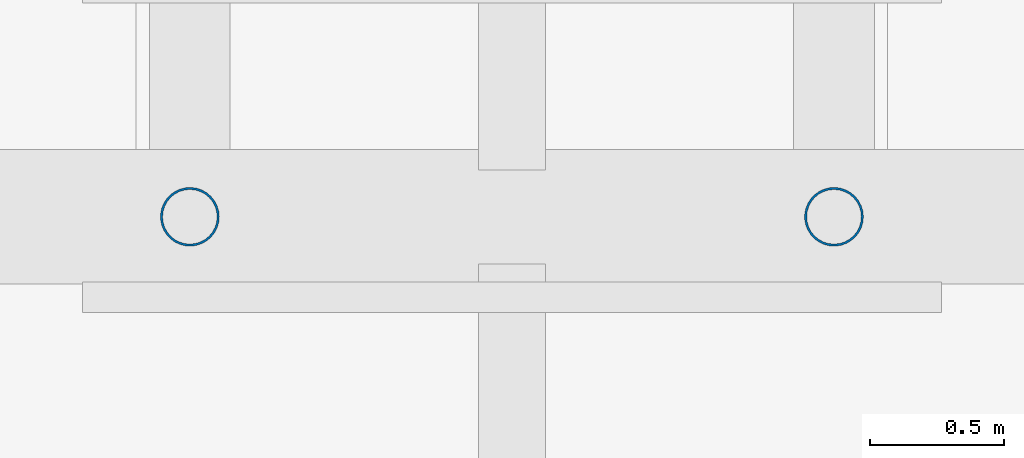
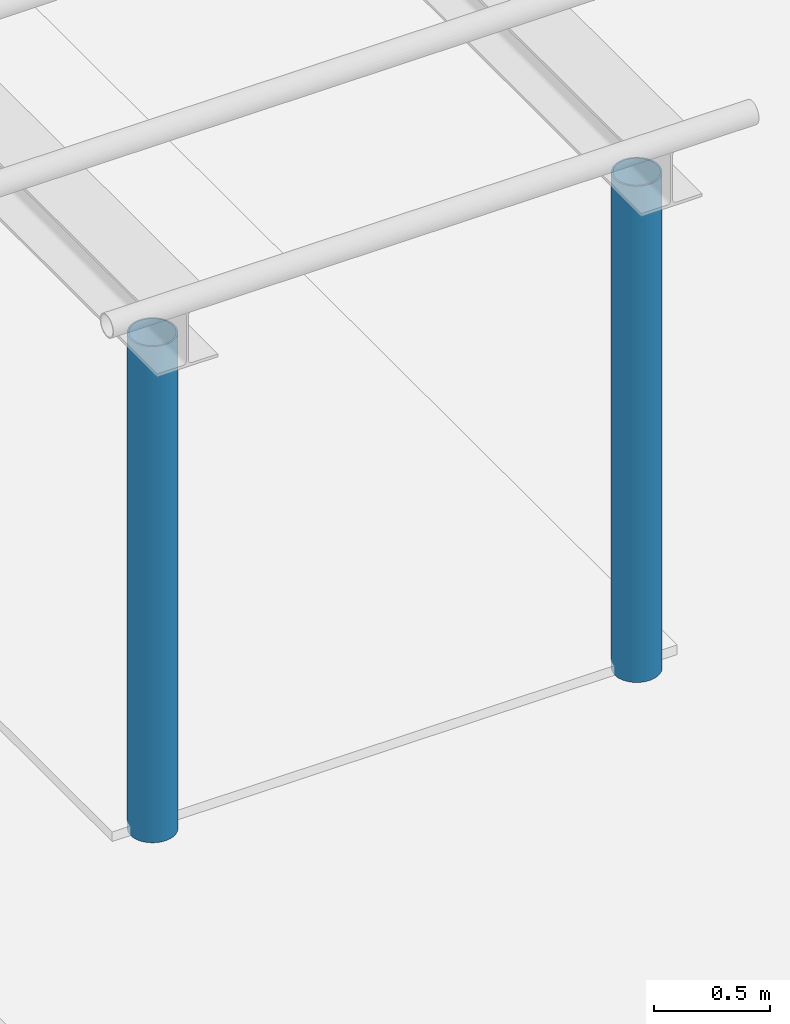
# One storey, part 2 of 32: 2 columns.
"""IFC4 building model written with IfcOpenShell, lengths in metres."""

from ifc_helpers import new_model, si_unit, direction, frame, origin, origin_2d, place, context, subcontext, project, spatial, hollow_circle, extrude, material, material_profile, profile_set, type_object, element, save


model = new_model("IFC4")

# Units and contexts
model_context = context("Model", 3, precision=1e-05, world=origin(), true_north=direction((0.0, 1.0)))
body_context = subcontext(model_context, "Body", "Model", "MODEL_VIEW")
ifc_project = project(units=[si_unit("LENGTHUNIT", "METRE"), si_unit("AREAUNIT", "SQUARE_METRE"), si_unit("VOLUMEUNIT", "CUBIC_METRE"), si_unit("PLANEANGLEUNIT", "RADIAN"), si_unit("MASSUNIT", "GRAM", prefix="KILO")], contexts=[model_context])

# Site, building, storey
site_placement = place(None, origin())
site = spatial("IfcSite", under=ifc_project, at=site_placement, CompositionType="ELEMENT")
building_placement = place(site_placement, origin())
building = spatial("IfcBuilding", under=site, at=building_placement, Name="Basin Gate Institute", CompositionType="ELEMENT")
storey_placement = place(building_placement, frame((0.0, 0.0, 41.39990234375)))
storey = spatial("IfcBuildingStorey", under=building, at=storey_placement, Name="L08", CompositionType="ELEMENT", Elevation=41.39990234375)

# Columns
ifc_material = material(Name="Structural steel SN490", Category="steel")
ifc_material_profile = material_profile(ifc_material, hollow_circle(Radius=0.109619140625, WallThickness=0.008056640625, at=origin_2d()), Name="CHS219x8")
ifc_profile_set = profile_set([ifc_material_profile], Name="Structural steel SN490")
column_type = type_object("IfcColumnType", Name="Pergola post TD3", PredefinedType="COLUMN", material=ifc_profile_set)
for number, where, z_axis, x_axis, name in (
    (1, (107.39990234375, 60.300048828125, 0.0), (0.0, 0.0, 1.0), (1.0, 0.0, 0.0), "Pergola post TD3 E11"),
    (2, (105.0, 60.300048828125, 0.0), (0.0, 0.0, 1.0), (1.0, 0.0, 0.0), "Pergola post TD3 E21"),
):
    element("IfcColumn", number, at=place(storey_placement, frame(where, z_axis=z_axis, x_axis=x_axis)), inside=storey, type_object=column_type, material=ifc_profile_set, Name=name, PredefinedType="COLUMN", context=body_context, shape_type="SweptSolid", body=[
        extrude(hollow_circle(Radius=0.109619140625, WallThickness=0.008056640625, at=origin_2d()), origin(), (0.0, 0.0, 1.0), 2.60009765625),
    ])

save(model, "model.ifc")
